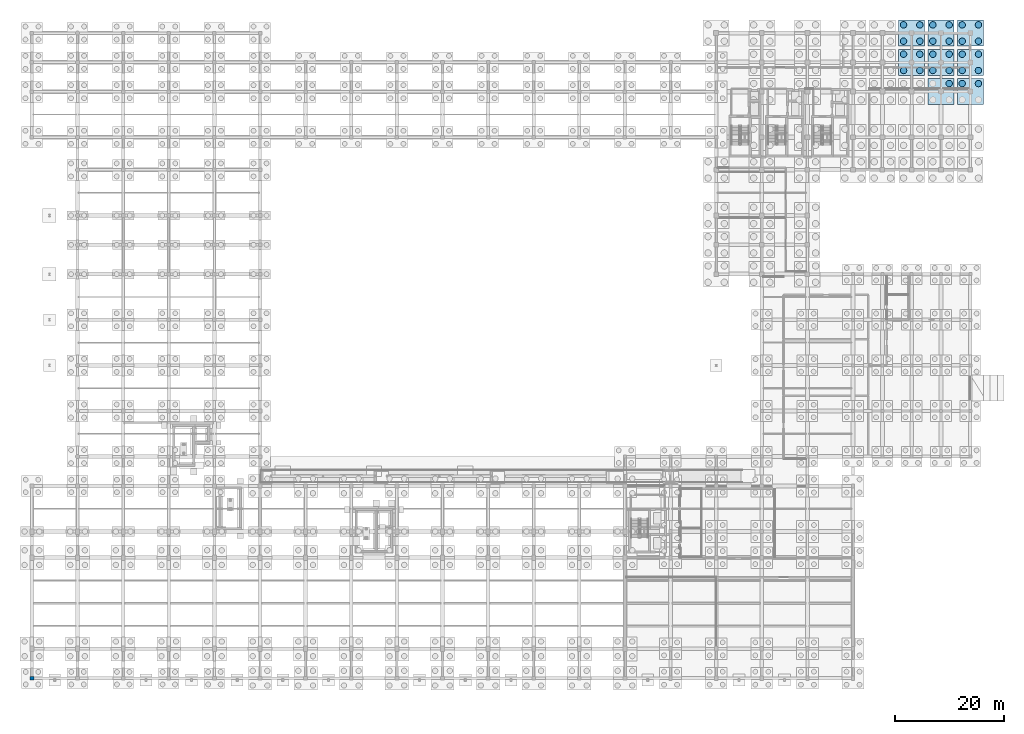
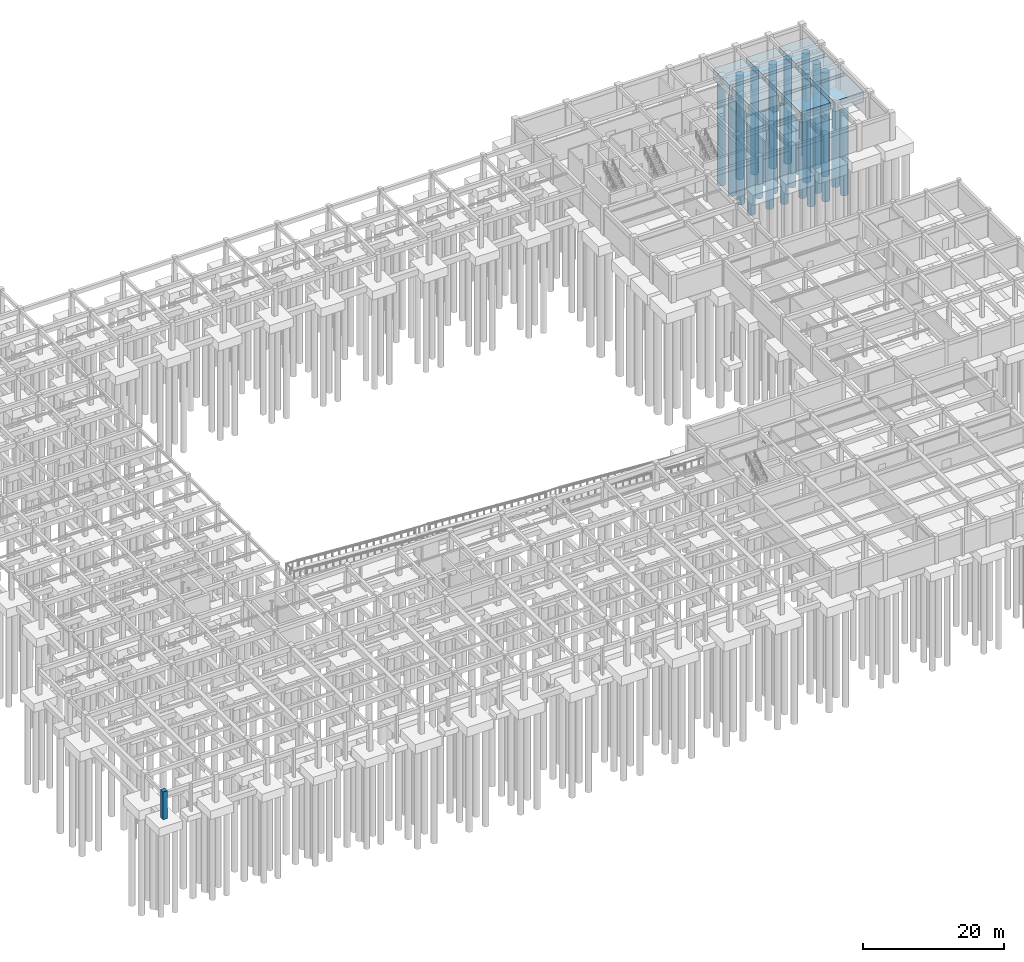
# One storey, part 10 of 49: 27 piles, 8 footings, 1 column.
"""IFC4 building model written with IfcOpenShell, lengths in metres."""

from ifc_helpers import new_model, si_unit, direction, frame, origin, origin_with_axes, origin_2d, place, context, subcontext, project, spatial, rectangle, circle, extrude, material, material_profile, profile_set, type_object, element, save


model = new_model("IFC4")

# Units and contexts
model_context = context("Model", 3, precision=1e-05, world=origin(), true_north=direction((0.0, 1.0)))
body_context = subcontext(model_context, "Body", "Model", "MODEL_VIEW")
ifc_project = project(units=[si_unit("LENGTHUNIT", "METRE"), si_unit("AREAUNIT", "SQUARE_METRE"), si_unit("VOLUMEUNIT", "CUBIC_METRE"), si_unit("PLANEANGLEUNIT", "RADIAN"), si_unit("MASSUNIT", "GRAM", prefix="KILO")], contexts=[model_context])

# Site, building, storey
site_placement = place(None, origin())
site = spatial("IfcSite", under=ifc_project, at=site_placement, CompositionType="ELEMENT")
building_placement = place(site_placement, origin())
building = spatial("IfcBuilding", under=site, at=building_placement, Name="Krzemoval Escarpment Law Courts", CompositionType="ELEMENT")
storey_placement = place(building_placement, frame((0.0, 0.0, -4.800048828125)))
storey = spatial("IfcBuildingStorey", under=building, at=storey_placement, Name="B1", CompositionType="ELEMENT", Elevation=-4.800048828125)

# Footings
ifc_material_1 = material(Name="Concrete C35/45", Category="concrete")
footing_type = type_object("IfcFootingType", Name="CAP-4P-4800x4800x1800", PredefinedType="PILE_CAP", material=ifc_material_1)
for number, where, z_axis, x_axis, name in (
    (1, (162.0, 113.39990234375, -1.7998046875), (0.0, 0.0, 1.0), (1.0, 0.0, 0.0), "Pile Cap FC-250"),
    (2, (162.0, 118.800048828125, -1.7998046875), (0.0, 0.0, 1.0), (1.0, 0.0, 0.0), "Pile Cap FC-251"),
    (3, (167.39990234375, 108.0, -1.7998046875), (0.0, 0.0, 1.0), (1.0, 0.0, 0.0), "Pile Cap FC-259"),
    (4, (167.39990234375, 113.39990234375, -1.7998046875), (0.0, 0.0, 1.0), (1.0, 0.0, 0.0), "Pile Cap FC-260"),
    (5, (167.39990234375, 118.800048828125, -1.7998046875), (0.0, 0.0, 1.0), (1.0, 0.0, 0.0), "Pile Cap FC-261"),
    (6, (172.800048828125, 108.0, -1.7998046875), (0.0, 0.0, 1.0), (1.0, 0.0, 0.0), "Pile Cap FC-269"),
    (7, (172.800048828125, 113.39990234375, -1.7998046875), (0.0, 0.0, 1.0), (1.0, 0.0, 0.0), "Pile Cap FC-270"),
    (8, (172.800048828125, 118.800048828125, -1.7998046875), (0.0, 0.0, 1.0), (1.0, 0.0, 0.0), "Pile Cap FC-271"),
):
    element("IfcFooting", number, at=place(storey_placement, frame(where, z_axis=z_axis, x_axis=x_axis)), inside=storey, type_object=footing_type, Name=name, PredefinedType="PILE_CAP", context=body_context, shape_type="SweptSolid", body=[
        extrude(rectangle(XDim=4.800048828125, YDim=4.800048828125, at=origin_2d()), origin(), (0.0, 0.0, 1.0), 1.800048828125),
    ])

# Piles
ifc_material_2 = material(Name="Concrete C35/45", Category="concrete")
ifc_material_profile_1 = material_profile(ifc_material_2, circle(Radius=0.60009765625, at=origin_2d()), Name="PILE D1200")
ifc_profile_set_1 = profile_set([ifc_material_profile_1], Name="Concrete C35/45")
pile_type = type_object("IfcPileType", Name="PILE-D1200-18M", PredefinedType="BORED", material=ifc_profile_set_1)
for number, where, z_axis, x_axis, name in (
    (9, (160.5, 111.89990234375, -1.64990234375), (0.0, 0.0, -1.0), (1.0, 0.0, 0.0), "Bored Pile FP-0939"),
    (10, (163.5, 111.89990234375, -1.64990234375), (0.0, 0.0, -1.0), (1.0, 0.0, 0.0), "Bored Pile FP-0940"),
    (11, (160.5, 114.89990234375, -1.64990234375), (0.0, 0.0, -1.0), (1.0, 0.0, 0.0), "Bored Pile FP-0941"),
    (12, (163.5, 114.89990234375, -1.64990234375), (0.0, 0.0, -1.0), (1.0, 0.0, 0.0), "Bored Pile FP-0942"),
    (13, (160.5, 117.300048828125, -1.64990234375), (0.0, 0.0, -1.0), (1.0, 0.0, 0.0), "Bored Pile FP-0943"),
    (14, (163.5, 117.300048828125, -1.64990234375), (0.0, 0.0, -1.0), (1.0, 0.0, 0.0), "Bored Pile FP-0944"),
    (15, (160.5, 120.300048828125, -1.64990234375), (0.0, 0.0, -1.0), (1.0, 0.0, 0.0), "Bored Pile FP-0945"),
    (16, (163.5, 120.300048828125, -1.64990234375), (0.0, 0.0, -1.0), (1.0, 0.0, 0.0), "Bored Pile FP-0946"),
    (17, (168.89990234375, 109.5, -1.64990234375), (0.0, 0.0, -1.0), (1.0, 0.0, 0.0), "Bored Pile FP-0978"),
    (18, (165.89990234375, 111.89990234375, -1.64990234375), (0.0, 0.0, -1.0), (1.0, 0.0, 0.0), "Bored Pile FP-0979"),
    (19, (168.89990234375, 111.89990234375, -1.64990234375), (0.0, 0.0, -1.0), (1.0, 0.0, 0.0), "Bored Pile FP-0980"),
    (20, (165.89990234375, 114.89990234375, -1.64990234375), (0.0, 0.0, -1.0), (1.0, 0.0, 0.0), "Bored Pile FP-0981"),
    (21, (168.89990234375, 114.89990234375, -1.64990234375), (0.0, 0.0, -1.0), (1.0, 0.0, 0.0), "Bored Pile FP-0982"),
    (22, (165.89990234375, 117.300048828125, -1.64990234375), (0.0, 0.0, -1.0), (1.0, 0.0, 0.0), "Bored Pile FP-0983"),
    (23, (168.89990234375, 117.300048828125, -1.64990234375), (0.0, 0.0, -1.0), (1.0, 0.0, 0.0), "Bored Pile FP-0984"),
    (24, (165.89990234375, 120.300048828125, -1.64990234375), (0.0, 0.0, -1.0), (1.0, 0.0, 0.0), "Bored Pile FP-0985"),
    (25, (168.89990234375, 120.300048828125, -1.64990234375), (0.0, 0.0, -1.0), (1.0, 0.0, 0.0), "Bored Pile FP-0986"),
    (26, (171.300048828125, 109.5, -1.64990234375), (0.0, 0.0, -1.0), (1.0, 0.0, 0.0), "Bored Pile FP-1017"),
    (27, (174.300048828125, 109.5, -1.64990234375), (0.0, 0.0, -1.0), (1.0, 0.0, 0.0), "Bored Pile FP-1018"),
    (28, (171.300048828125, 111.89990234375, -1.64990234375), (0.0, 0.0, -1.0), (1.0, 0.0, 0.0), "Bored Pile FP-1019"),
    (29, (174.300048828125, 111.89990234375, -1.64990234375), (0.0, 0.0, -1.0), (1.0, 0.0, 0.0), "Bored Pile FP-1020"),
    (30, (171.300048828125, 114.89990234375, -1.64990234375), (0.0, 0.0, -1.0), (1.0, 0.0, 0.0), "Bored Pile FP-1021"),
    (31, (174.300048828125, 114.89990234375, -1.64990234375), (0.0, 0.0, -1.0), (1.0, 0.0, 0.0), "Bored Pile FP-1022"),
    (32, (171.300048828125, 117.300048828125, -1.64990234375), (0.0, 0.0, -1.0), (1.0, 0.0, 0.0), "Bored Pile FP-1023"),
    (33, (174.300048828125, 117.300048828125, -1.64990234375), (0.0, 0.0, -1.0), (1.0, 0.0, 0.0), "Bored Pile FP-1024"),
    (34, (171.300048828125, 120.300048828125, -1.64990234375), (0.0, 0.0, -1.0), (1.0, 0.0, 0.0), "Bored Pile FP-1025"),
    (35, (174.300048828125, 120.300048828125, -1.64990234375), (0.0, 0.0, -1.0), (1.0, 0.0, 0.0), "Bored Pile FP-1026"),
):
    element("IfcPile", number, at=place(storey_placement, frame(where, z_axis=z_axis, x_axis=x_axis)), inside=storey, type_object=pile_type, Name=name, PredefinedType="BORED", context=body_context, shape_type="SweptSolid", body=[
        extrude(circle(Radius=0.60009765625, at=origin_2d()), origin(), (0.0, 0.0, 1.0), 18.0),
    ])

# Column
ifc_material_3 = material(Name="Concrete C40/50", Category="concrete")
ifc_material_profile_2 = material_profile(ifc_material_3, rectangle(XDim=0.699951171875, YDim=0.699951171875, at=origin_2d()), Name="RC 700x700")
ifc_profile_set_2 = profile_set([ifc_material_profile_2], Name="Concrete C40/50")
column_type = type_object("IfcColumnType", Name="COL-RC-700", PredefinedType="COLUMN", material=ifc_profile_set_2)
column_placement = place(storey_placement, origin_with_axes())
element("IfcColumn", 36, at=column_placement, inside=storey, type_object=column_type, Name="Column FC-B1-0001", PredefinedType="COLUMN", context=body_context, shape_type="SweptSolid", body=[
    extrude(rectangle(XDim=0.699951171875, YDim=0.699951171875, at=origin_2d()), origin(), (0.0, 0.0, 1.0), 4.800048828125),
])

save(model, "model.ifc")
